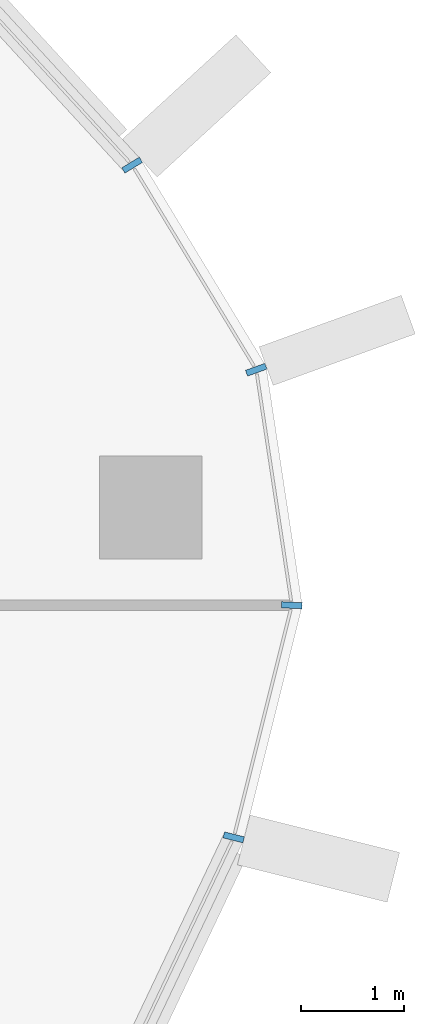
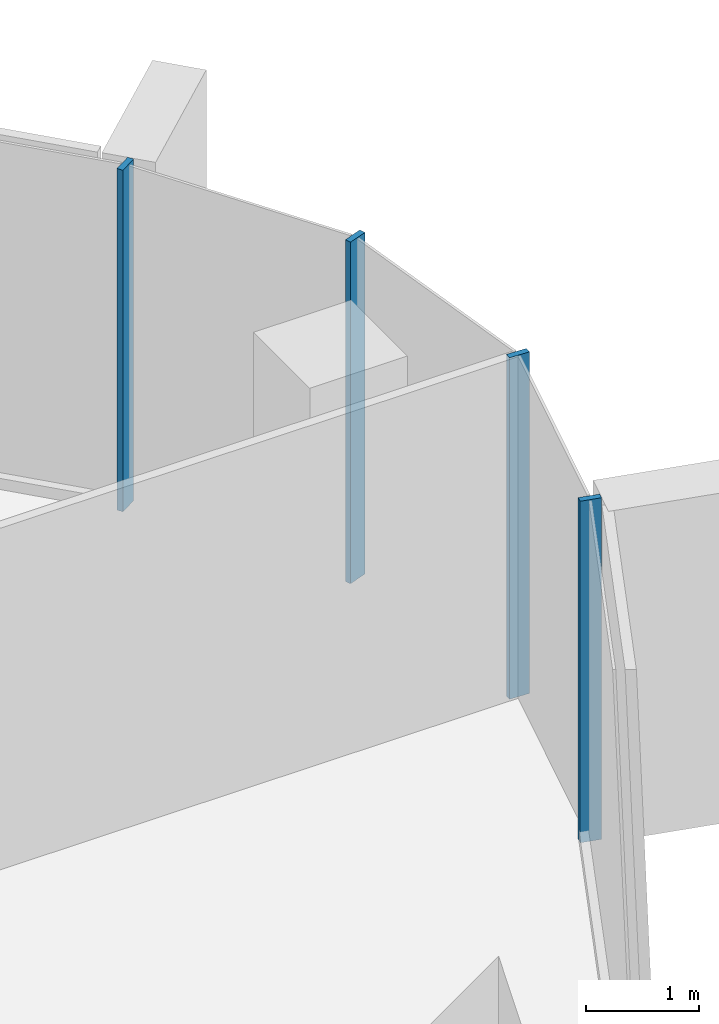
# One storey, part 10 of 24: 4 members, 1 element without a shape of its own.
"""IFC4 building model written with IfcOpenShell, lengths in metres."""

from ifc_helpers import new_model, si_unit, direction, frame, origin, origin_2d, place, context, subcontext, project, spatial, rectangle, extrude, material, layer, layer_set, material_profile, profile_set, type_object, element, aggregate, save


model = new_model("IFC4")

# Units and contexts
model_context = context("Model", 3, precision=1e-05, world=origin(), true_north=direction((0.0, 1.0)))
body_context = subcontext(model_context, "Body", "Model", "MODEL_VIEW")
ifc_project = project(units=[si_unit("LENGTHUNIT", "METRE"), si_unit("AREAUNIT", "SQUARE_METRE"), si_unit("VOLUMEUNIT", "CUBIC_METRE"), si_unit("PLANEANGLEUNIT", "RADIAN"), si_unit("MASSUNIT", "GRAM", prefix="KILO")], contexts=[model_context])

# Site, building, storey
site_placement = place(None, origin())
site = spatial("IfcSite", under=ifc_project, at=site_placement, CompositionType="ELEMENT")
building_placement = place(site_placement, origin())
building = spatial("IfcBuilding", under=site, at=building_placement, Name="Dongbaek Canopy Tower", CompositionType="ELEMENT")
storey_placement = place(building_placement, frame((0.0, 0.0, 348.800048828125)))
storey = spatial("IfcBuildingStorey", under=building, at=storey_placement, Name="L75", CompositionType="ELEMENT", Elevation=348.800048828125)

# Curtain wall, members
ifc_material_1 = material(Name="Aluminium 6063-T6 pale anodised", Category="aluminium")
ifc_layer = layer(ifc_material_1, 0.199951171875)
ifc_layer_set = layer_set([ifc_layer], Name="CW-1 unitised tower curtain wall")
curtain_wall_type = type_object("IfcCurtainWallType", Name="CW-1 unitised tower curtain wall", PredefinedType="NOTDEFINED", material=ifc_layer_set)
curtain_wall_placement = place(storey_placement, origin())
curtain_wall = element("IfcCurtainWall", 1, at=curtain_wall_placement, inside=storey, type_object=curtain_wall_type, Name="CW-1 curtain wall K0.1", PredefinedType="NOTDEFINED")
ifc_material_2 = material(Name="Aluminium 6063-T6 pale anodised", Category="aluminium")
ifc_material_profile = material_profile(ifc_material_2, rectangle(XDim=0.199951171875, YDim=0.06005859375, at=origin_2d()), Name="CW-1 mullion 60 x 200")
ifc_profile_set = profile_set([ifc_material_profile], Name="Aluminium 6063-T6 pale anodised")
member_type = type_object("IfcMemberType", Name="CW-1 mullion 60 x 200", PredefinedType="MULLION", material=ifc_profile_set)
member_1_placement = place(storey_placement, frame((31.612060546875, 3.489501953125, 0.0), z_axis=(0.0, 0.0, 1.0), x_axis=(0.970078061665, -0.242793233587, 0.0)))
member_1 = element("IfcMember", 2, at=member_1_placement, type_object=member_type, Name="CW-1 mullion K0.1.1", PredefinedType="MULLION", context=body_context, shape_type="SweptSolid", body=[
    extrude(rectangle(XDim=0.199951171875, YDim=0.06005859375, at=origin_2d()), origin(), (0.0, 0.0, 1.0), 3.699951171875),
])
member_2_placement = place(storey_placement, frame((32.177001953125, 5.745849609375, 0.0), z_axis=(0.0, 0.0, 1.0), x_axis=(0.998865806551, -0.047614078833, 0.0)))
member_2 = element("IfcMember", 3, at=member_2_placement, type_object=member_type, Name="CW-1 mullion K0.1.2", PredefinedType="MULLION", context=body_context, shape_type="SweptSolid", body=[
    extrude(rectangle(XDim=0.199951171875, YDim=0.06005859375, at=origin_2d()), origin(), (0.0, 0.0, 1.0), 3.699951171875),
])
member_3_placement = place(storey_placement, frame((31.830810546875, 8.03564453125, 0.0), z_axis=(0.0, 0.0, 1.0), x_axis=(0.940195634405, 0.34063494983, 0.0)))
member_3 = element("IfcMember", 4, at=member_3_placement, type_object=member_type, Name="CW-1 mullion K0.1.3", PredefinedType="MULLION", context=body_context, shape_type="SweptSolid", body=[
    extrude(rectangle(XDim=0.199951171875, YDim=0.06005859375, at=origin_2d()), origin(), (0.0, 0.0, 1.0), 3.699951171875),
])
member_4_placement = place(storey_placement, frame((30.62451171875, 10.024658203125, 0.0), z_axis=(0.0, 0.0, 1.0), x_axis=(0.855021373835, 0.518592759576, 0.0)))
member_4 = element("IfcMember", 5, at=member_4_placement, type_object=member_type, Name="CW-1 mullion K0.1.4", PredefinedType="MULLION", context=body_context, shape_type="SweptSolid", body=[
    extrude(rectangle(XDim=0.199951171875, YDim=0.06005859375, at=origin_2d()), origin(), (0.0, 0.0, 1.0), 3.699951171875),
])
aggregate(curtain_wall, [member_1, member_2, member_3, member_4])

save(model, "model.ifc")
